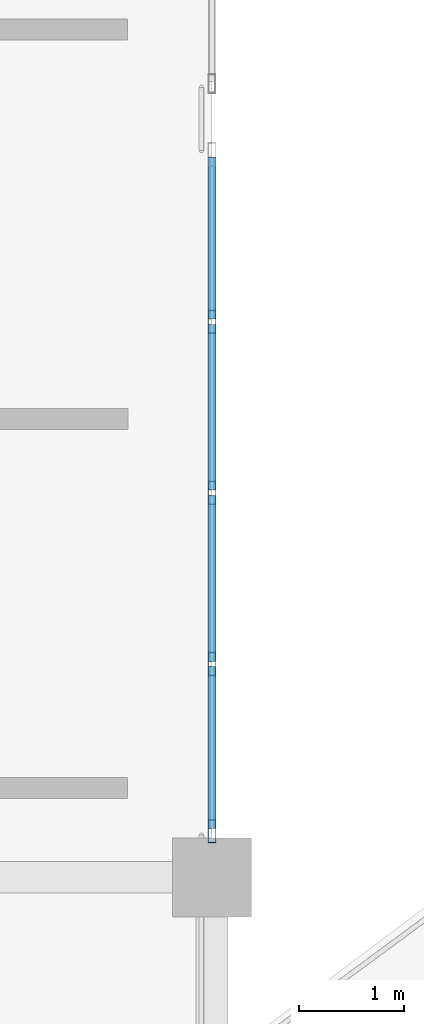
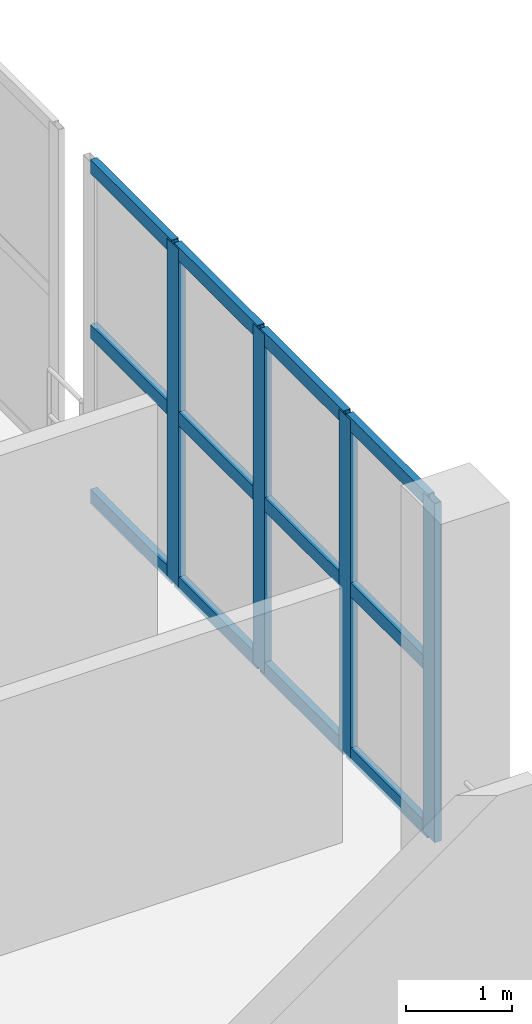
# One storey, part 47 of 130: 16 members, 1 element without a shape of its own.
"""IFC4 building model written with IfcOpenShell, lengths in metres."""

from ifc_helpers import new_model, si_unit, direction, frame, origin, origin_2d, place, context, subcontext, project, spatial, hollow_rectangle, extrude, material, material_profile, profile_set, type_object, element, aggregate, save


model = new_model("IFC4")

# Units and contexts
model_context = context("Model", 3, precision=1e-05, world=origin(), true_north=direction((0.0, 1.0)))
body_context = subcontext(model_context, "Body", "Model", "MODEL_VIEW")
ifc_project = project(units=[si_unit("LENGTHUNIT", "METRE"), si_unit("AREAUNIT", "SQUARE_METRE"), si_unit("VOLUMEUNIT", "CUBIC_METRE"), si_unit("PLANEANGLEUNIT", "RADIAN"), si_unit("MASSUNIT", "GRAM", prefix="KILO")], contexts=[model_context])

# Site, building, storey
site_placement = place(None, origin())
site = spatial("IfcSite", under=ifc_project, at=site_placement, CompositionType="ELEMENT")
building_placement = place(site_placement, origin())
building = spatial("IfcBuilding", under=site, at=building_placement, Name="Qandorah Velis Arena", CompositionType="ELEMENT")
storey_placement = place(building_placement, frame((0.0, 0.0, 9.60009765625)))
storey = spatial("IfcBuildingStorey", under=building, at=storey_placement, Name="L02", CompositionType="ELEMENT", Elevation=9.60009765625)

# Curtain wall, members
ifc_material_1 = material(Name="Solar-control low-E double glazing", Category="glass")
curtain_wall_type = type_object("IfcCurtainWallType", Name="ARC-CW-SYS13", PredefinedType="USERDEFINED", material=ifc_material_1)
curtain_wall_placement = place(storey_placement, origin())
curtain_wall = element("IfcCurtainWall", 1, at=curtain_wall_placement, inside=storey, type_object=curtain_wall_type, Name="Unitised curtain wall L02-109", ObjectType="UNITISED CURTAIN WALL", PredefinedType="USERDEFINED")
ifc_material_2 = material(Name="Champagne-bronze anodized aluminium 6063-T6", Category="aluminium")
ifc_material_profile_1 = material_profile(ifc_material_2, hollow_rectangle(XDim=0.074951171875, YDim=0.219970703125, WallThickness=0.00390625, at=origin_2d()), Name="ALU MULLION 75x220")
ifc_profile_set_1 = profile_set([ifc_material_profile_1], Name="Champagne-bronze anodized aluminium 6063-T6")
member_type_1 = type_object("IfcMemberType", Name="ARC-CWM-220", PredefinedType="MULLION", material=ifc_profile_set_1)
member_1_placement = place(storey_placement, frame((122.39990234375, 58.03759765625, -0.01513671875), z_axis=(0.0, 0.0, 1.0), x_axis=(-1.0, 0.0, 0.0)))
member_1 = element("IfcMember", 2, at=member_1_placement, type_object=member_type_1, Name="CW13 mullion 1", PredefinedType="MULLION", context=body_context, shape_type="SweptSolid", body=[
    extrude(hollow_rectangle(XDim=0.074951171875, YDim=0.219970703125, WallThickness=0.00390625, at=origin_2d()), origin(), (0.0, 0.0, 1.0), 3.91015625),
])
member_2_placement = place(storey_placement, frame((122.39990234375, 59.625, -0.01513671875), z_axis=(0.0, 0.0, 1.0), x_axis=(-1.0, 0.0, 0.0)))
member_2 = element("IfcMember", 3, at=member_2_placement, type_object=member_type_1, Name="CW13 mullion 2", PredefinedType="MULLION", context=body_context, shape_type="SweptSolid", body=[
    extrude(hollow_rectangle(XDim=0.074951171875, YDim=0.219970703125, WallThickness=0.00390625, at=origin_2d()), origin(), (0.0, 0.0, 1.0), 3.91015625),
])
member_3_placement = place(storey_placement, frame((122.39990234375, 61.25, -0.01513671875), z_axis=(0.0, 0.0, 1.0), x_axis=(-1.0, 0.0, 0.0)))
member_3 = element("IfcMember", 4, at=member_3_placement, type_object=member_type_1, Name="CW13 mullion 3", PredefinedType="MULLION", context=body_context, shape_type="SweptSolid", body=[
    extrude(hollow_rectangle(XDim=0.074951171875, YDim=0.219970703125, WallThickness=0.00390625, at=origin_2d()), origin(), (0.0, 0.0, 1.0), 3.91015625),
])
member_4_placement = place(storey_placement, frame((122.39990234375, 62.875, -0.01513671875), z_axis=(0.0, 0.0, 1.0), x_axis=(-1.0, 0.0, 0.0)))
member_4 = element("IfcMember", 5, at=member_4_placement, type_object=member_type_1, Name="CW13 mullion 4", PredefinedType="MULLION", context=body_context, shape_type="SweptSolid", body=[
    extrude(hollow_rectangle(XDim=0.074951171875, YDim=0.219970703125, WallThickness=0.00390625, at=origin_2d()), origin(), (0.0, 0.0, 1.0), 3.91015625),
])
ifc_material_profile_2 = material_profile(ifc_material_2, hollow_rectangle(XDim=0.074951171875, YDim=0.159912109375, WallThickness=0.00341796875, at=origin_2d()), Name="ALU TRANSOM 75x160")
ifc_profile_set_2 = profile_set([ifc_material_profile_2], Name="Champagne-bronze anodized aluminium 6063-T6")
member_type_2 = type_object("IfcMemberType", Name="ARC-CWT-160", PredefinedType="USERDEFINED", material=ifc_profile_set_2)
member_5_placement = place(storey_placement, frame((122.39990234375, 58.06298828125, 0.037353515625), z_axis=(0.0, 1.0, 0.0), x_axis=(-1.0, 0.0, 0.0)))
member_5 = element("IfcMember", 6, at=member_5_placement, type_object=member_type_2, Name="CW13 transom 1.1", ObjectType="TRANSOM", PredefinedType="USERDEFINED", context=body_context, shape_type="SweptSolid", body=[
    extrude(hollow_rectangle(XDim=0.074951171875, YDim=0.159912109375, WallThickness=0.00341796875, at=origin_2d()), origin(), (0.0, 0.0, 1.0), 1.53662109375),
])
member_6_placement = place(storey_placement, frame((122.39990234375, 58.06298828125, 1.93994140625), z_axis=(0.0, 1.0, 0.0), x_axis=(-1.0, 0.0, 0.0)))
member_6 = element("IfcMember", 7, at=member_6_placement, type_object=member_type_2, Name="CW13 transom 1.2", ObjectType="TRANSOM", PredefinedType="USERDEFINED", context=body_context, shape_type="SweptSolid", body=[
    extrude(hollow_rectangle(XDim=0.074951171875, YDim=0.159912109375, WallThickness=0.00341796875, at=origin_2d()), origin(), (0.0, 0.0, 1.0), 1.53662109375),
])
member_7_placement = place(storey_placement, frame((122.39990234375, 58.06298828125, 3.84228515625), z_axis=(0.0, 1.0, 0.0), x_axis=(-1.0, 0.0, 0.0)))
member_7 = element("IfcMember", 8, at=member_7_placement, type_object=member_type_2, Name="CW13 transom 1.3", ObjectType="TRANSOM", PredefinedType="USERDEFINED", context=body_context, shape_type="SweptSolid", body=[
    extrude(hollow_rectangle(XDim=0.074951171875, YDim=0.159912109375, WallThickness=0.00341796875, at=origin_2d()), origin(), (0.0, 0.0, 1.0), 1.53662109375),
])
member_8_placement = place(storey_placement, frame((122.39990234375, 59.650390625, 0.037353515625), z_axis=(0.0, 1.0, 0.0), x_axis=(-1.0, 0.0, 0.0)))
member_8 = element("IfcMember", 9, at=member_8_placement, type_object=member_type_2, Name="CW13 transom 2.1", ObjectType="TRANSOM", PredefinedType="USERDEFINED", context=body_context, shape_type="SweptSolid", body=[
    extrude(hollow_rectangle(XDim=0.074951171875, YDim=0.159912109375, WallThickness=0.00341796875, at=origin_2d()), origin(), (0.0, 0.0, 1.0), 1.57421875),
])
member_9_placement = place(storey_placement, frame((122.39990234375, 59.650390625, 1.93994140625), z_axis=(0.0, 1.0, 0.0), x_axis=(-1.0, 0.0, 0.0)))
member_9 = element("IfcMember", 10, at=member_9_placement, type_object=member_type_2, Name="CW13 transom 2.2", ObjectType="TRANSOM", PredefinedType="USERDEFINED", context=body_context, shape_type="SweptSolid", body=[
    extrude(hollow_rectangle(XDim=0.074951171875, YDim=0.159912109375, WallThickness=0.00341796875, at=origin_2d()), origin(), (0.0, 0.0, 1.0), 1.57421875),
])
member_10_placement = place(storey_placement, frame((122.39990234375, 59.650390625, 3.84228515625), z_axis=(0.0, 1.0, 0.0), x_axis=(-1.0, 0.0, 0.0)))
member_10 = element("IfcMember", 11, at=member_10_placement, type_object=member_type_2, Name="CW13 transom 2.3", ObjectType="TRANSOM", PredefinedType="USERDEFINED", context=body_context, shape_type="SweptSolid", body=[
    extrude(hollow_rectangle(XDim=0.074951171875, YDim=0.159912109375, WallThickness=0.00341796875, at=origin_2d()), origin(), (0.0, 0.0, 1.0), 1.57421875),
])
member_11_placement = place(storey_placement, frame((122.39990234375, 61.275390625, 0.037353515625), z_axis=(0.0, 1.0, 0.0), x_axis=(-1.0, 0.0, 0.0)))
member_11 = element("IfcMember", 12, at=member_11_placement, type_object=member_type_2, Name="CW13 transom 3.1", ObjectType="TRANSOM", PredefinedType="USERDEFINED", context=body_context, shape_type="SweptSolid", body=[
    extrude(hollow_rectangle(XDim=0.074951171875, YDim=0.159912109375, WallThickness=0.00341796875, at=origin_2d()), origin(), (0.0, 0.0, 1.0), 1.57421875),
])
member_12_placement = place(storey_placement, frame((122.39990234375, 61.275390625, 1.93994140625), z_axis=(0.0, 1.0, 0.0), x_axis=(-1.0, 0.0, 0.0)))
member_12 = element("IfcMember", 13, at=member_12_placement, type_object=member_type_2, Name="CW13 transom 3.2", ObjectType="TRANSOM", PredefinedType="USERDEFINED", context=body_context, shape_type="SweptSolid", body=[
    extrude(hollow_rectangle(XDim=0.074951171875, YDim=0.159912109375, WallThickness=0.00341796875, at=origin_2d()), origin(), (0.0, 0.0, 1.0), 1.57421875),
])
member_13_placement = place(storey_placement, frame((122.39990234375, 61.275390625, 3.84228515625), z_axis=(0.0, 1.0, 0.0), x_axis=(-1.0, 0.0, 0.0)))
member_13 = element("IfcMember", 14, at=member_13_placement, type_object=member_type_2, Name="CW13 transom 3.3", ObjectType="TRANSOM", PredefinedType="USERDEFINED", context=body_context, shape_type="SweptSolid", body=[
    extrude(hollow_rectangle(XDim=0.074951171875, YDim=0.159912109375, WallThickness=0.00341796875, at=origin_2d()), origin(), (0.0, 0.0, 1.0), 1.57421875),
])
member_14_placement = place(storey_placement, frame((122.39990234375, 62.900390625, 0.037353515625), z_axis=(0.0, 1.0, 0.0), x_axis=(-1.0, 0.0, 0.0)))
member_14 = element("IfcMember", 15, at=member_14_placement, type_object=member_type_2, Name="CW13 transom 4.1", ObjectType="TRANSOM", PredefinedType="USERDEFINED", context=body_context, shape_type="SweptSolid", body=[
    extrude(hollow_rectangle(XDim=0.074951171875, YDim=0.159912109375, WallThickness=0.00341796875, at=origin_2d()), origin(), (0.0, 0.0, 1.0), 1.53662109375),
])
member_15_placement = place(storey_placement, frame((122.39990234375, 62.900390625, 1.93994140625), z_axis=(0.0, 1.0, 0.0), x_axis=(-1.0, 0.0, 0.0)))
member_15 = element("IfcMember", 16, at=member_15_placement, type_object=member_type_2, Name="CW13 transom 4.2", ObjectType="TRANSOM", PredefinedType="USERDEFINED", context=body_context, shape_type="SweptSolid", body=[
    extrude(hollow_rectangle(XDim=0.074951171875, YDim=0.159912109375, WallThickness=0.00341796875, at=origin_2d()), origin(), (0.0, 0.0, 1.0), 1.53662109375),
])
member_16_placement = place(storey_placement, frame((122.39990234375, 62.900390625, 3.84228515625), z_axis=(0.0, 1.0, 0.0), x_axis=(-1.0, 0.0, 0.0)))
member_16 = element("IfcMember", 17, at=member_16_placement, type_object=member_type_2, Name="CW13 transom 4.3", ObjectType="TRANSOM", PredefinedType="USERDEFINED", context=body_context, shape_type="SweptSolid", body=[
    extrude(hollow_rectangle(XDim=0.074951171875, YDim=0.159912109375, WallThickness=0.00341796875, at=origin_2d()), origin(), (0.0, 0.0, 1.0), 1.53662109375),
])
aggregate(curtain_wall, [member_1, member_2, member_3, member_4, member_5, member_6, member_7, member_8, member_9, member_10, member_11, member_12, member_13, member_14, member_15, member_16])

save(model, "model.ifc")
